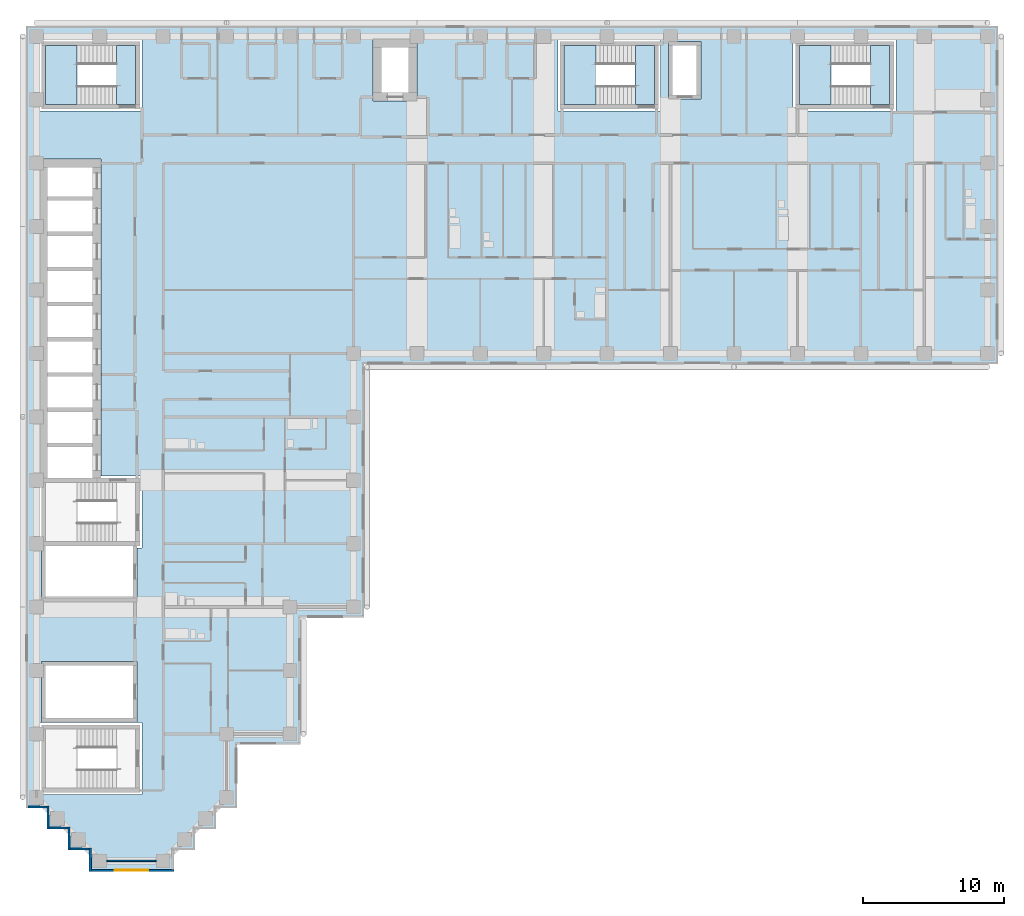
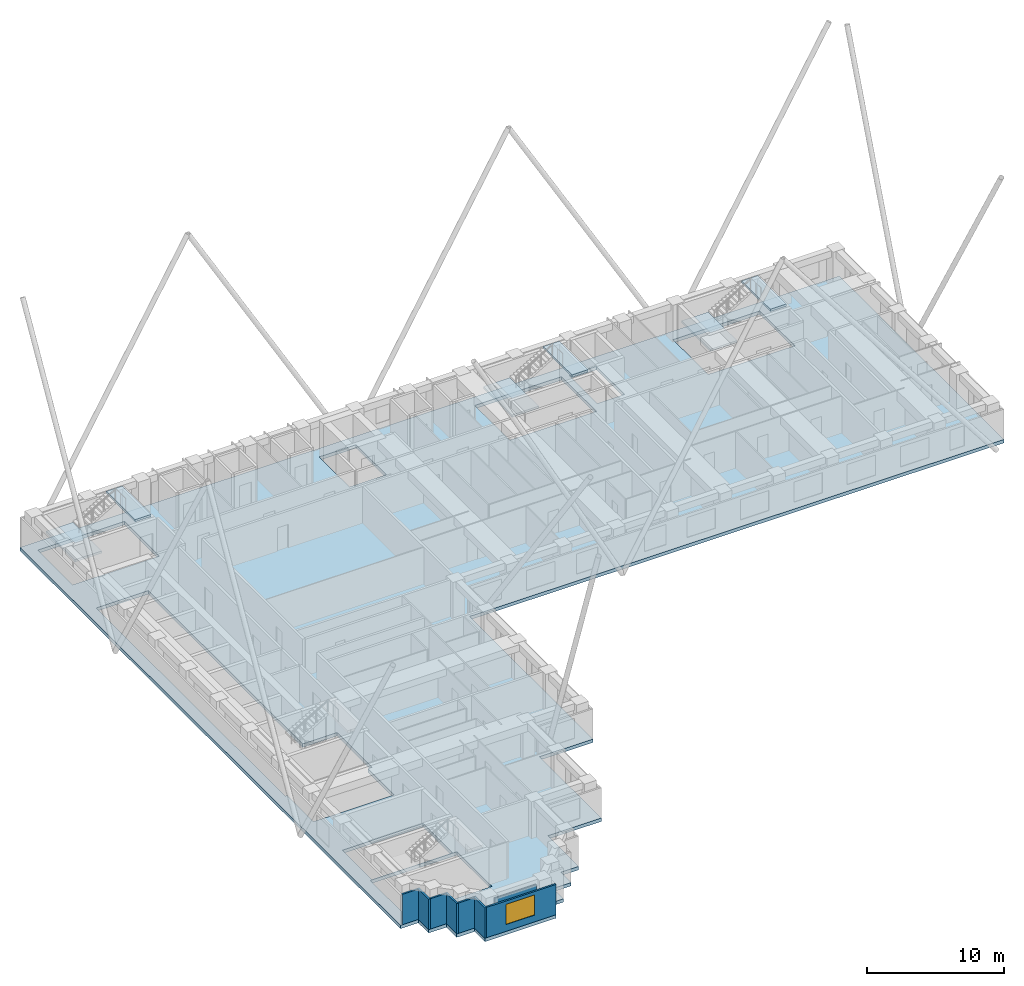
# One storey, part 2 of 13: 8 walls, 7 slabs, 1 window, 1 opening, 3 elements without a shape of their own.
"""IFC4 building model written with IfcOpenShell, lengths in metres."""

from ifc_helpers import new_model, si_unit, direction, frame, frame_2d, origin, place, context, subcontext, project, spatial, polyline, rectangle, outline, extrude, material, layer, layer_set, type_object, element, fill, aggregate, save


model = new_model("IFC4")

# Units and contexts
model_context = context("Model", 3, precision=1e-05, world=origin(), true_north=direction((0.0, 1.0)))
body_context = subcontext(model_context, "Body", "Model", "MODEL_VIEW")
ifc_project = project(units=[si_unit("LENGTHUNIT", "METRE"), si_unit("AREAUNIT", "SQUARE_METRE"), si_unit("VOLUMEUNIT", "CUBIC_METRE"), si_unit("PLANEANGLEUNIT", "RADIAN"), si_unit("MASSUNIT", "GRAM", prefix="KILO")], contexts=[model_context])

# Site, building, storey
site_placement = place(None, origin())
site = spatial("IfcSite", under=ifc_project, at=site_placement, CompositionType="ELEMENT")
building_placement = place(site_placement, origin())
building = spatial("IfcBuilding", under=site, at=building_placement, Name="Firuza Court", CompositionType="ELEMENT")
storey_placement = place(building_placement, frame((0.0, 0.0, 162.800048828125)))
storey = spatial("IfcBuildingStorey", under=building, at=storey_placement, Name="L41", CompositionType="ELEMENT", Elevation=162.800048828125)

# Slab
ifc_material_1 = material(Name="Concrete C40/50", Category="concrete")
ifc_layer_1 = layer(ifc_material_1, 0.300048828125)
ifc_layer_set_1 = layer_set([ifc_layer_1], Name="Concrete C40/50")
slab_type_1 = type_object("IfcSlabType", Name="Floor slab 300 C40/50", PredefinedType="FLOOR", material=ifc_layer_set_1)
slab_1_placement = place(storey_placement, frame((0.0, 0.0, -0.300048828125)))
element("IfcSlab", 1, at=slab_1_placement, inside=storey, type_object=slab_type_1, Name="Floor slab L41", PredefinedType="FLOOR", context=body_context, shape_type="SweptSolid", body=[
    extrude(outline(polyline([(3.75, -0.75), (3.75, 0.75), (2.25, 0.75), (2.25, 2.25), (0.75, 2.25), (0.75, 3.75), (-0.75, 3.75), (-0.75, 59.25), (68.25, 59.25), (68.25, 35.25), (23.25, 35.25), (23.25, 17.25), (18.75, 17.25), (18.75, 8.25), (14.25, 8.25), (14.25, 3.75), (12.75, 3.75), (12.75, 2.25), (11.25, 2.25), (11.25, 0.75), (9.75, 0.75), (9.75, -0.75), (3.75, -0.75)]), holes=[polyline([(0.199951171875, 29.800048828125), (0.199951171875, 29.199951171875), (0.199951171875, 27.300048828125), (0.199951171875, 26.699951171875), (0.199951171875, 22.199951171875), (0.35009765625, 22.199951171875), (0.35009765625, 18.35009765625), (7.14990234375, 18.35009765625), (7.14990234375, 22.199951171875), (7.5, 22.199951171875), (7.5, 27.300048828125), (4.60009765625, 27.300048828125), (4.60009765625, 29.199951171875), (4.60009765625, 29.800048828125), (4.60009765625, 31.699951171875), (4.60009765625, 32.300048828125), (4.60009765625, 34.199951171875), (4.60009765625, 34.800048828125), (4.60009765625, 36.699951171875), (4.60009765625, 37.300048828125), (4.60009765625, 39.199951171875), (4.60009765625, 39.800048828125), (4.60009765625, 41.699951171875), (4.60009765625, 42.300048828125), (4.60009765625, 44.199951171875), (4.60009765625, 44.800048828125), (4.60009765625, 46.699951171875), (4.60009765625, 47.300048828125), (4.60009765625, 49.800048828125), (0.199951171875, 49.800048828125), (0.199951171875, 47.300048828125), (0.199951171875, 46.699951171875), (0.199951171875, 44.800048828125), (0.199951171875, 44.199951171875), (0.199951171875, 42.300048828125), (0.199951171875, 41.699951171875), (0.199951171875, 39.800048828125), (0.199951171875, 39.199951171875), (0.199951171875, 37.300048828125), (0.199951171875, 36.699951171875), (0.199951171875, 34.800048828125), (0.199951171875, 34.199951171875), (0.199951171875, 32.300048828125), (0.199951171875, 31.699951171875), (0.199951171875, 29.800048828125)]), polyline([(7.5, 9.800048828125), (0.199951171875, 9.800048828125), (0.199951171875, 4.699951171875), (7.5, 4.699951171875), (7.5, 9.800048828125)]), polyline([(7.14990234375, 14.14990234375), (0.35009765625, 14.14990234375), (0.35009765625, 9.85009765625), (7.14990234375, 9.85009765625), (7.14990234375, 14.14990234375)]), polyline([(7.5, 58.300048828125), (0.199951171875, 58.300048828125), (0.199951171875, 53.199951171875), (7.5, 53.199951171875), (7.5, 58.300048828125)]), polyline([(44.300048828125, 58.300048828125), (37.0, 58.300048828125), (37.0, 53.199951171875), (44.300048828125, 53.199951171875), (44.300048828125, 58.300048828125)]), polyline([(61.0, 58.300048828125), (53.699951171875, 58.300048828125), (53.699951171875, 53.199951171875), (61.0, 53.199951171875), (61.0, 58.300048828125)]), polyline([(27.0, 53.89990234375), (27.0, 58.300048828125), (23.89990234375, 58.300048828125), (23.89990234375, 53.89990234375), (27.0, 53.89990234375)]), polyline([(47.14990234375, 54.050048828125), (47.14990234375, 58.14990234375), (44.85009765625, 58.14990234375), (44.85009765625, 54.050048828125), (47.14990234375, 54.050048828125)])]), origin(), (0.0, 0.0, 1.0), 0.300048828125),
])

# Stair, slabs
ifc_material_2 = material(Name="Concrete C40/50 precast", Category="concrete")
stair_type = type_object("IfcStairType", Name="Stair 1350 x 3600 2 flights", PredefinedType="HALF_TURN_STAIR", material=ifc_material_2)
stair_1_placement = place(storey_placement, origin())
stair_1 = element("IfcStair", 2, at=stair_1_placement, inside=storey, type_object=stair_type, Name="Stair 1 L41", PredefinedType="HALF_TURN_STAIR")
ifc_material_3 = material(Name="Concrete C40/50 precast", Category="concrete")
ifc_layer_2 = layer(ifc_material_3, 0.199951171875)
ifc_layer_set_2 = layer_set([ifc_layer_2], Name="Concrete C40/50 precast")
slab_type_2 = type_object("IfcSlabType", Name="Stair landing 200", PredefinedType="LANDING", material=ifc_layer_set_2)
slab_2_placement = place(storey_placement, frame((0.0, 0.0, 1.599853515625)))
slab_2 = element("IfcSlab", 3, at=slab_2_placement, type_object=slab_type_2, Name="S1 landing 1", PredefinedType="LANDING", context=body_context, shape_type="SweptSolid", body=[
    extrude(outline(polyline([(39.699951171875, 53.64990234375), (39.699951171875, 57.85009765625), (37.449951171875, 57.85009765625), (37.449951171875, 53.64990234375), (39.699951171875, 53.64990234375)])), origin(), (0.0, 0.0, 1.0), 0.2001953125),
])
slab_3_placement = place(storey_placement, frame((0.0, 0.0, 3.39990234375)))
slab_3 = element("IfcSlab", 4, at=slab_3_placement, type_object=slab_type_2, Name="S1 landing 2", PredefinedType="LANDING", context=body_context, shape_type="SweptSolid", body=[
    extrude(outline(polyline([(43.85009765625, 53.64990234375), (43.85009765625, 57.85009765625), (42.5, 57.85009765625), (42.5, 53.64990234375), (43.85009765625, 53.64990234375)])), origin(), (0.0, 0.0, 1.0), 0.199951171875),
])
aggregate(stair_1, [slab_2, slab_3])

stair_2_placement = place(storey_placement, origin())
stair_2 = element("IfcStair", 5, at=stair_2_placement, inside=storey, type_object=stair_type, Name="Stair 3 L41", PredefinedType="HALF_TURN_STAIR")
slab_4_placement = place(storey_placement, frame((0.0, 0.0, 1.599853515625)))
slab_4 = element("IfcSlab", 6, at=slab_4_placement, type_object=slab_type_2, Name="S3 landing 1", PredefinedType="LANDING", context=body_context, shape_type="SweptSolid", body=[
    extrude(outline(polyline([(2.89990234375, 53.64990234375), (2.89990234375, 57.85009765625), (0.64990234375, 57.85009765625), (0.64990234375, 53.64990234375), (2.89990234375, 53.64990234375)])), origin(), (0.0, 0.0, 1.0), 0.2001953125),
])
slab_5_placement = place(storey_placement, frame((0.0, 0.0, 3.39990234375)))
slab_5 = element("IfcSlab", 7, at=slab_5_placement, type_object=slab_type_2, Name="S3 landing 2", PredefinedType="LANDING", context=body_context, shape_type="SweptSolid", body=[
    extrude(outline(polyline([(7.050048828125, 53.64990234375), (7.050048828125, 57.85009765625), (5.699951171875, 57.85009765625), (5.699951171875, 53.64990234375), (7.050048828125, 53.64990234375)])), origin(), (0.0, 0.0, 1.0), 0.199951171875),
])
aggregate(stair_2, [slab_4, slab_5])

stair_3_placement = place(storey_placement, origin())
stair_3 = element("IfcStair", 8, at=stair_3_placement, inside=storey, type_object=stair_type, Name="Stair 4 L41", PredefinedType="HALF_TURN_STAIR")
slab_6_placement = place(storey_placement, frame((0.0, 0.0, 1.599853515625)))
slab_6 = element("IfcSlab", 9, at=slab_6_placement, type_object=slab_type_2, Name="S4 landing 1", PredefinedType="LANDING", context=body_context, shape_type="SweptSolid", body=[
    extrude(outline(polyline([(56.39990234375, 53.64990234375), (56.39990234375, 57.85009765625), (54.14990234375, 57.85009765625), (54.14990234375, 53.64990234375), (56.39990234375, 53.64990234375)])), origin(), (0.0, 0.0, 1.0), 0.2001953125),
])
slab_7_placement = place(storey_placement, frame((0.0, 0.0, 3.39990234375)))
slab_7 = element("IfcSlab", 10, at=slab_7_placement, type_object=slab_type_2, Name="S4 landing 2", PredefinedType="LANDING", context=body_context, shape_type="SweptSolid", body=[
    extrude(outline(polyline([(60.550048828125, 53.64990234375), (60.550048828125, 57.85009765625), (59.199951171875, 57.85009765625), (59.199951171875, 53.64990234375), (60.550048828125, 53.64990234375)])), origin(), (0.0, 0.0, 1.0), 0.199951171875),
])
aggregate(stair_3, [slab_6, slab_7])

# Walls
ifc_material_4 = material(Name="Timber stud partition, plasterboard both sides", Category="wood")
ifc_layer_3 = layer(ifc_material_4, 0.10009765625)
ifc_layer_set_3 = layer_set([ifc_layer_3], Name="Timber stud partition, plasterboard both sides")
wall_type_1 = type_object("IfcWallType", Name="Partition wall 100", PredefinedType="PARTITIONING", material=ifc_layer_set_3)
wall_1_placement = place(storey_placement, frame((5.0, 0.0, 0.0), z_axis=(0.0, 0.0, 1.0), x_axis=(1.0, 0.0, 0.0)))
element("IfcWall", 11, at=wall_1_placement, inside=storey, type_object=wall_type_1, Name="Partition wall 100 L41", PredefinedType="PARTITIONING", context=body_context, shape_type="SweptSolid", body=[
    extrude(rectangle(XDim=3.5, YDim=0.10009765625, at=frame_2d((1.75, 0.0))), origin(), (0.0, 0.0, 1.0), 2.699951171875),
])
ifc_material_5 = material(Name="Ceramic tile", Category="ceramic")
ifc_layer_4 = layer(ifc_material_5, 0.02001953125)
ifc_material_6 = material(Name="Mineral wool insulation", Category="insulation")
ifc_layer_5 = layer(ifc_material_6, 0.050048828125)
ifc_layer_6 = layer(ifc_material_3, 0.080078125)
ifc_layer_set_4 = layer_set([ifc_layer_4, ifc_layer_5, ifc_layer_6], Name="Concrete C40/50 precast")
wall_type_2 = type_object("IfcWallType", Name="Precast cladding wall with turquoise TILE PANEL face 150", PredefinedType="STANDARD", material=ifc_layer_set_4)
wall_2_placement = place(storey_placement, frame((-0.60009765625, 3.824951171875, 0.0), z_axis=(0.0, 0.0, 1.0), x_axis=(1.0, 0.0, 0.0)))
element("IfcWall", 12, at=wall_2_placement, inside=storey, type_object=wall_type_2, Name="Facade wall L41 S", PredefinedType="STANDARD", context=body_context, shape_type="SweptSolid", body=[
    extrude(rectangle(XDim=1.35009765625, YDim=0.14990234375, at=frame_2d((0.675048828125, 0.0))), origin(), (0.0, 0.0, 1.0), 2.699951171875),
])
wall_3_placement = place(storey_placement, frame((0.824951171875, 3.89990234375, 0.0), z_axis=(0.0, 0.0, 1.0), x_axis=(0.0, -1.0, 0.0)))
element("IfcWall", 13, at=wall_3_placement, inside=storey, type_object=wall_type_2, Name="Facade wall L41 W", PredefinedType="STANDARD", context=body_context, shape_type="SweptSolid", body=[
    extrude(rectangle(XDim=1.64990234375, YDim=0.14990234375, at=frame_2d((0.824951171875, 0.0))), origin(), (0.0, 0.0, 1.0), 2.699951171875),
])
wall_4_placement = place(storey_placement, frame((0.89990234375, 2.324951171875, 0.0), z_axis=(0.0, 0.0, 1.0), x_axis=(1.0, 0.0, 0.0)))
element("IfcWall", 14, at=wall_4_placement, inside=storey, type_object=wall_type_2, Name="Facade wall L41 S", PredefinedType="STANDARD", context=body_context, shape_type="SweptSolid", body=[
    extrude(rectangle(XDim=1.35009765625, YDim=0.14990234375, at=frame_2d((0.675048828125, 0.0))), origin(), (0.0, 0.0, 1.0), 2.699951171875),
])
wall_5_placement = place(storey_placement, frame((2.324951171875, 2.39990234375, 0.0), z_axis=(0.0, 0.0, 1.0), x_axis=(0.0, -1.0, 0.0)))
element("IfcWall", 15, at=wall_5_placement, inside=storey, type_object=wall_type_2, Name="Facade wall L41 W", PredefinedType="STANDARD", context=body_context, shape_type="SweptSolid", body=[
    extrude(rectangle(XDim=1.64990234375, YDim=0.14990234375, at=frame_2d((0.824951171875, 0.0))), origin(), (0.0, 0.0, 1.0), 2.699951171875),
])
wall_6_placement = place(storey_placement, frame((2.39990234375, 0.824951171875, 0.0), z_axis=(0.0, 0.0, 1.0), x_axis=(1.0, 0.0, 0.0)))
element("IfcWall", 16, at=wall_6_placement, inside=storey, type_object=wall_type_2, Name="Facade wall L41 S", PredefinedType="STANDARD", context=body_context, shape_type="SweptSolid", body=[
    extrude(rectangle(XDim=1.35009765625, YDim=0.14990234375, at=frame_2d((0.675048828125, 0.0))), origin(), (0.0, 0.0, 1.0), 2.699951171875),
])
wall_7_placement = place(storey_placement, frame((3.824951171875, 0.89990234375, 0.0), z_axis=(0.0, 0.0, 1.0), x_axis=(0.0, -1.0, 0.0)))
element("IfcWall", 17, at=wall_7_placement, inside=storey, type_object=wall_type_2, Name="Facade wall L41 W", PredefinedType="STANDARD", context=body_context, shape_type="SweptSolid", body=[
    extrude(rectangle(XDim=1.64990234375, YDim=0.14990234375, at=frame_2d((0.824951171875, 0.0))), origin(), (0.0, 0.0, 1.0), 2.699951171875),
])

# Wall, opening, window
wall_8_placement = place(storey_placement, frame((3.89990234375, -0.675048828125, 0.0), z_axis=(0.0, 0.0, 1.0), x_axis=(1.0, 0.0, 0.0)))
wall_8 = element("IfcWall", 18, at=wall_8_placement, inside=storey, type_object=wall_type_2, Name="Facade wall L41 S", PredefinedType="STANDARD", context=body_context, shape_type="SweptSolid", body=[
    extrude(rectangle(XDim=5.85009765625, YDim=0.14990234375, at=frame_2d((2.925048828125, 0.0))), origin(), (0.0, 0.0, 1.0), 2.699951171875),
])
opening_placement = place(wall_8_placement, frame((1.64990234375, 0.0, 0.60009765625)))
opening = element("IfcOpeningElement", 19, at=opening_placement, cuts=wall_8, Name="Opening W1", PredefinedType="OPENING", context=body_context, shape_type="SweptSolid", body=[
    extrude(rectangle(XDim=2.39990234375, YDim=1.800048828125, at=frame_2d((1.199951171875, 0.89990234375))), frame((0.0, 0.0869140625, 0.0), z_axis=(0.0, -1.0, 0.0), x_axis=(1.0, 0.0, 0.0)), (0.0, 0.0, 1.0), 0.173828125),
])
ifc_material_7 = material(Name="Aluminium frame, triple clear glazing", Category="aluminium")
window_type = type_object("IfcWindowType", Name="Window W1 2400 x 1800", PartitioningType="SINGLE_PANEL", PredefinedType="WINDOW", material=ifc_material_7)
window_placement = place(opening_placement, origin())
window = element("IfcWindow", 20, at=window_placement, inside=storey, type_object=window_type, Name="Window L41", OverallHeight=1.800048828125, OverallWidth=2.39990234375, PartitioningType="SINGLE_PANEL", PredefinedType="WINDOW", context=body_context, shape_type="SweptSolid", body=[
    extrude(rectangle(XDim=2.39990234375, YDim=1.800048828125, at=frame_2d((1.199951171875, 0.89990234375))), frame((0.0, 0.030029296875, 0.0), z_axis=(0.0, -1.0, 0.0), x_axis=(1.0, 0.0, 0.0)), (0.0, 0.0, 1.0), 0.06005859375),
])
fill(opening, window)

save(model, "model.ifc")
